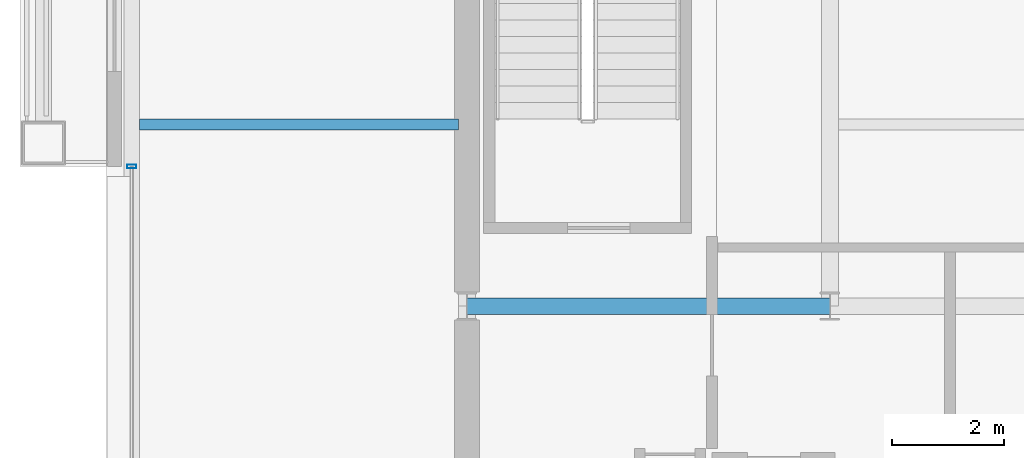
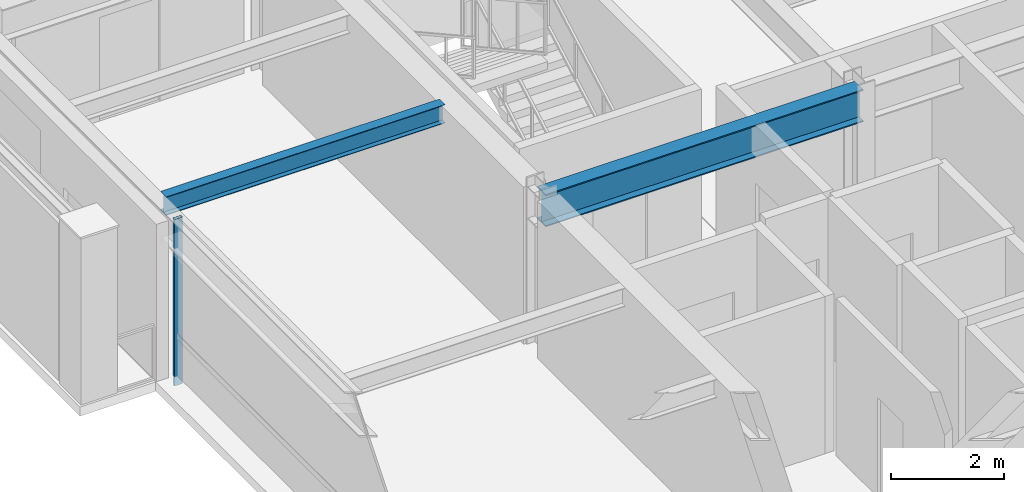
# One storey, part 9 of 27: 2 beams, 1 member, 1 element without a shape of its own.
"""IFC4 building model written with IfcOpenShell, lengths in metres."""

from ifc_helpers import new_model, si_unit, direction, frame, origin, origin_2d, place, context, subcontext, project, spatial, hollow_rectangle, i_section, extrude, material, layer, layer_set, material_profile, profile_set, type_object, element, aggregate, save


model = new_model("IFC4")

# Units and contexts
model_context = context("Model", 3, precision=1e-05, world=origin(), true_north=direction((0.0, 1.0)))
body_context = subcontext(model_context, "Body", "Model", "MODEL_VIEW")
ifc_project = project(units=[si_unit("LENGTHUNIT", "METRE"), si_unit("AREAUNIT", "SQUARE_METRE"), si_unit("VOLUMEUNIT", "CUBIC_METRE"), si_unit("PLANEANGLEUNIT", "RADIAN"), si_unit("MASSUNIT", "GRAM", prefix="KILO")], contexts=[model_context])

# Site, building, storey
site_placement = place(None, origin())
site = spatial("IfcSite", under=ifc_project, at=site_placement, CompositionType="ELEMENT")
building_placement = place(site_placement, origin())
building = spatial("IfcBuilding", under=site, at=building_placement, Name="Brelmoor Portico Tower", CompositionType="ELEMENT")
storey_placement = place(building_placement, frame((0.0, 0.0, 158.699951171875)))
storey = spatial("IfcBuildingStorey", under=building, at=storey_placement, Name="L41", CompositionType="ELEMENT", Elevation=158.699951171875)

# Beams
ifc_material_1 = material(Name="Steel Q355B", Category="steel")
ifc_material_profile_1 = material_profile(ifc_material_1, i_section(OverallWidth=0.199951171875, OverallDepth=0.39990234375, WebThickness=0.008056640625, FlangeThickness=0.012939453125, at=origin_2d()), Name="HN 400x200x8x13")
ifc_profile_set_1 = profile_set([ifc_material_profile_1], Name="Steel Q355B")
beam_type_1 = type_object("IfcBeamType", Name="BM-JS-400", PredefinedType="JOIST", material=ifc_profile_set_1)
beam_1_placement = place(storey_placement, frame((-20.409912109375, 3.25, 3.199951171875), z_axis=(1.0, 0.0, 0.0), x_axis=(0.0, 1.0, 0.0)))
element("IfcBeam", 1, at=beam_1_placement, inside=storey, type_object=beam_type_1, Name="L41 Secondary Wing Joist JS-W07", PredefinedType="JOIST", context=body_context, shape_type="SweptSolid", body=[
    extrude(i_section(OverallWidth=0.199951171875, OverallDepth=0.39990234375, WebThickness=0.008056640625, FlangeThickness=0.012939453125, at=origin_2d()), origin(), (0.0, 0.0, 1.0), 5.7099609375),
])
ifc_material_profile_2 = material_profile(ifc_material_1, i_section(OverallWidth=0.300048828125, OverallDepth=0.699951171875, WebThickness=0.012939453125, FlangeThickness=0.02392578125, at=origin_2d()), Name="HN 700x300x13x24")
ifc_profile_set_2 = profile_set([ifc_material_profile_2], Name="Steel Q355B")
beam_type_2 = type_object("IfcBeamType", Name="BM-PG-700", PredefinedType="BEAM", material=ifc_profile_set_2)
beam_2_placement = place(storey_placement, frame((-14.550048828125, 0.0, 3.050048828125), z_axis=(1.0, 0.0, 0.0), x_axis=(0.0, 1.0, 0.0)))
element("IfcBeam", 2, at=beam_2_placement, inside=storey, type_object=beam_type_2, Name="L41 Primary Floor Girder PG-16", PredefinedType="BEAM", context=body_context, shape_type="SweptSolid", body=[
    extrude(i_section(OverallWidth=0.300048828125, OverallDepth=0.699951171875, WebThickness=0.012939453125, FlangeThickness=0.02392578125, at=origin_2d()), origin(), (0.0, 0.0, 1.0), 6.5),
])

# Curtain wall, member
ifc_material_2 = material(Name="Anodised Aluminium Alloy 6063-T6", Category="aluminium")
ifc_layer = layer(ifc_material_2, 0.179931640625)
ifc_layer_set = layer_set([ifc_layer], Name="Anodised Aluminium Alloy 6063-T6")
curtain_wall_type = type_object("IfcCurtainWallType", Name="CW-TOWER-Z3", PredefinedType="NOTDEFINED", material=ifc_layer_set)
curtain_wall_placement = place(storey_placement, origin())
curtain_wall = element("IfcCurtainWall", 3, at=curtain_wall_placement, inside=storey, type_object=curtain_wall_type, Name="L41 Curtain Wall CW-L41-3L-2", PredefinedType="NOTDEFINED")
ifc_material_profile_3 = material_profile(ifc_material_2, hollow_rectangle(XDim=0.06494140625, YDim=0.1650390625, WallThickness=0.00390625, at=origin_2d()), Name="ALU MULLION 65x165")
ifc_profile_set_3 = profile_set([ifc_material_profile_3], Name="Anodised Aluminium Alloy 6063-T6")
member_type = type_object("IfcMemberType", Name="MB-CW-MULL-165", PredefinedType="MULLION", material=ifc_profile_set_3)
member_placement = place(storey_placement, frame((-20.550048828125, 2.5, -0.199951171875), z_axis=(0.0, 0.0, 1.0), x_axis=(0.0, 1.0, 0.0)))
member = element("IfcMember", 4, at=member_placement, type_object=member_type, Name="CW-L41-3L-2 Mullion 01", PredefinedType="MULLION", context=body_context, shape_type="SweptSolid", body=[
    extrude(hollow_rectangle(XDim=0.06494140625, YDim=0.1650390625, WallThickness=0.00390625, at=origin_2d()), origin(), (0.0, 0.0, 1.0), 3.60009765625),
])
aggregate(curtain_wall, [member])

save(model, "model.ifc")
